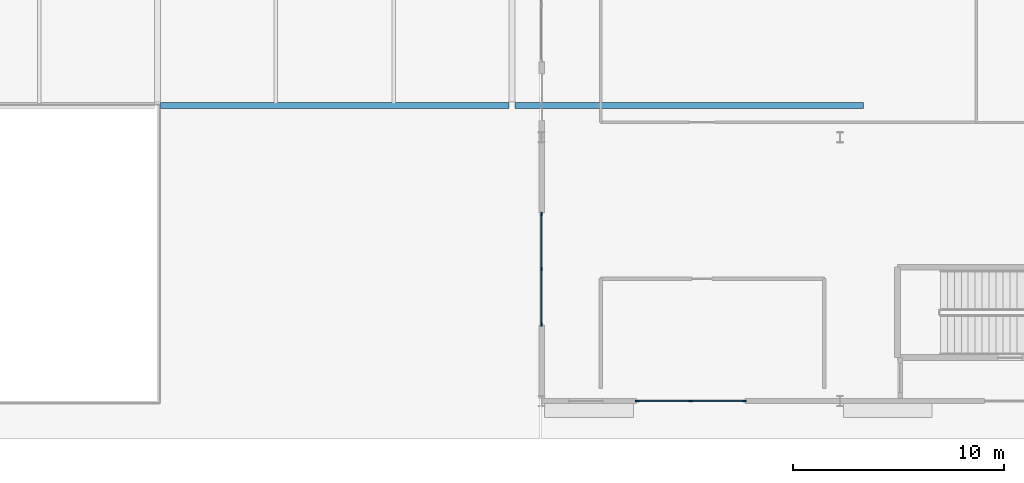
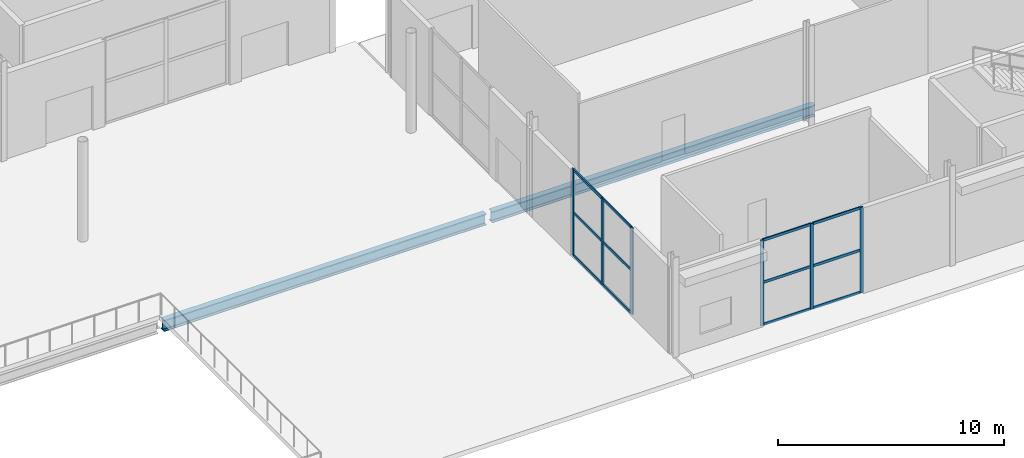
# One storey, part 39 of 87: 18 members, 2 beams, 2 elements without a shape of their own.
"""IFC4 building model written with IfcOpenShell, lengths in metres."""

from ifc_helpers import new_model, si_unit, direction, frame, origin, origin_2d, place, context, subcontext, project, spatial, rectangle, i_section, extrude, material, material_profile, profile_set, type_object, element, aggregate, save


model = new_model("IFC4")

# Units and contexts
model_context = context("Model", 3, precision=1e-05, world=origin(), true_north=direction((0.0, 1.0)))
body_context = subcontext(model_context, "Body", "Model", "MODEL_VIEW")
ifc_project = project(units=[si_unit("LENGTHUNIT", "METRE"), si_unit("AREAUNIT", "SQUARE_METRE"), si_unit("VOLUMEUNIT", "CUBIC_METRE"), si_unit("PLANEANGLEUNIT", "RADIAN"), si_unit("MASSUNIT", "GRAM", prefix="KILO")], contexts=[model_context])

# Site, building, storey
site_placement = place(None, origin())
site = spatial("IfcSite", under=ifc_project, at=site_placement, CompositionType="ELEMENT")
building_placement = place(site_placement, origin())
building = spatial("IfcBuilding", under=site, at=building_placement, Name="Kimbaza Rail Terminus", CompositionType="ELEMENT")
storey_placement = place(building_placement, origin())
storey = spatial("IfcBuildingStorey", under=building, at=storey_placement, Name="L00", CompositionType="ELEMENT", Elevation=0.0)

# Curtain wall, members
ifc_material_1 = material(Name="Anodised aluminium framing and solar low-E glazing", Category="aluminium")
curtain_wall_type = type_object("IfcCurtainWallType", Name="ARC-CW-PV1", PredefinedType="USERDEFINED", material=ifc_material_1)
curtain_wall_1_placement = place(storey_placement, origin())
curtain_wall_1 = element("IfcCurtainWall", 1, at=curtain_wall_1_placement, inside=storey, type_object=curtain_wall_type, Name="Pavilion S Curtain Wall L00.1", ObjectType="STICK CURTAIN WALL", PredefinedType="USERDEFINED")
ifc_material_2 = material(Name="Anodised architectural aluminium", Category="aluminium")
ifc_material_profile_1 = material_profile(ifc_material_2, rectangle(XDim=0.06494140625, YDim=0.175048828125, at=origin_2d()), Name="MULLION 65x175")
ifc_profile_set_1 = profile_set([ifc_material_profile_1], Name="Anodised architectural aluminium")
member_type_1 = type_object("IfcMemberType", Name="ARC-CWM-04", PredefinedType="MULLION", material=ifc_profile_set_1)
member_1_placement = place(storey_placement, frame((161.9326171875, 13.0, 0.0), z_axis=(0.0, 0.0, 1.0), x_axis=(0.0, 1.0, 0.0)))
member_1 = element("IfcMember", 2, at=member_1_placement, type_object=member_type_1, Name="CW-04 mullion 1", PredefinedType="MULLION", context=body_context, shape_type="SweptSolid", body=[
    extrude(rectangle(XDim=0.06494140625, YDim=0.175048828125, at=origin_2d()), origin(), (0.0, 0.0, 1.0), 4.625),
])
member_2_placement = place(storey_placement, frame((164.47509765625, 13.0, 0.0), z_axis=(0.0, 0.0, 1.0), x_axis=(0.0, 1.0, 0.0)))
member_2 = element("IfcMember", 3, at=member_2_placement, type_object=member_type_1, Name="CW-04 mullion 2", PredefinedType="MULLION", context=body_context, shape_type="SweptSolid", body=[
    extrude(rectangle(XDim=0.06494140625, YDim=0.175048828125, at=origin_2d()), origin(), (0.0, 0.0, 1.0), 4.625),
])
member_3_placement = place(storey_placement, frame((167.017578125, 13.0, 0.0), z_axis=(0.0, 0.0, 1.0), x_axis=(0.0, 1.0, 0.0)))
member_3 = element("IfcMember", 4, at=member_3_placement, type_object=member_type_1, Name="CW-04 mullion 3", PredefinedType="MULLION", context=body_context, shape_type="SweptSolid", body=[
    extrude(rectangle(XDim=0.06494140625, YDim=0.175048828125, at=origin_2d()), origin(), (0.0, 0.0, 1.0), 4.625),
])

curtain_wall_2_placement = place(storey_placement, origin())
curtain_wall_2 = element("IfcCurtainWall", 5, at=curtain_wall_2_placement, inside=storey, type_object=curtain_wall_type, Name="Pavilion W Curtain Wall L00.1", ObjectType="STICK CURTAIN WALL", PredefinedType="USERDEFINED")
member_4_placement = place(storey_placement, frame((157.39990234375, 16.632568359375, 0.0), z_axis=(0.0, 0.0, 1.0), x_axis=(-1.0, 0.0, 0.0)))
member_4 = element("IfcMember", 6, at=member_4_placement, type_object=member_type_1, Name="CW-04 mullion 1", PredefinedType="MULLION", context=body_context, shape_type="SweptSolid", body=[
    extrude(rectangle(XDim=0.06494140625, YDim=0.175048828125, at=origin_2d()), origin(), (0.0, 0.0, 1.0), 4.675048828125),
])
member_5_placement = place(storey_placement, frame((157.39990234375, 19.25, 0.0), z_axis=(0.0, 0.0, 1.0), x_axis=(-1.0, 0.0, 0.0)))
member_5 = element("IfcMember", 7, at=member_5_placement, type_object=member_type_1, Name="CW-04 mullion 2", PredefinedType="MULLION", context=body_context, shape_type="SweptSolid", body=[
    extrude(rectangle(XDim=0.06494140625, YDim=0.175048828125, at=origin_2d()), origin(), (0.0, 0.0, 1.0), 4.675048828125),
])
member_6_placement = place(storey_placement, frame((157.39990234375, 21.867431640625, 0.0), z_axis=(0.0, 0.0, 1.0), x_axis=(-1.0, 0.0, 0.0)))
member_6 = element("IfcMember", 8, at=member_6_placement, type_object=member_type_1, Name="CW-04 mullion 3", PredefinedType="MULLION", context=body_context, shape_type="SweptSolid", body=[
    extrude(rectangle(XDim=0.06494140625, YDim=0.175048828125, at=origin_2d()), origin(), (0.0, 0.0, 1.0), 4.675048828125),
])

# Member
ifc_material_3 = material(Name="Anodised architectural aluminium", Category="aluminium")
ifc_material_profile_2 = material_profile(ifc_material_3, rectangle(XDim=0.06494140625, YDim=0.139892578125, at=origin_2d()), Name="TRANSOM 65x140")
ifc_profile_set_2 = profile_set([ifc_material_profile_2], Name="Anodised architectural aluminium")
member_type_2 = type_object("IfcMemberType", Name="ARC-CWT-04", PredefinedType="USERDEFINED", material=ifc_profile_set_2)
member_7_placement = place(storey_placement, frame((161.965087890625, 13.0, 0.032470703125), z_axis=(1.0, 0.0, 0.0), x_axis=(0.0, 1.0, 0.0)))
member_7 = element("IfcMember", 9, at=member_7_placement, type_object=member_type_2, Name="CW-04 transom 1.1", ObjectType="TRANSOM", PredefinedType="USERDEFINED", context=body_context, shape_type="SweptSolid", body=[
    extrude(rectangle(XDim=0.06494140625, YDim=0.139892578125, at=origin_2d()), origin(), (0.0, 0.0, 1.0), 2.477294921875),
])

member_8_placement = place(storey_placement, frame((161.965087890625, 13.0, 2.3125), z_axis=(1.0, 0.0, 0.0), x_axis=(0.0, 1.0, 0.0)))
member_8 = element("IfcMember", 10, at=member_8_placement, type_object=member_type_2, Name="CW-04 transom 1.2", ObjectType="TRANSOM", PredefinedType="USERDEFINED", context=body_context, shape_type="SweptSolid", body=[
    extrude(rectangle(XDim=0.06494140625, YDim=0.139892578125, at=origin_2d()), origin(), (0.0, 0.0, 1.0), 2.477294921875),
])

member_9_placement = place(storey_placement, frame((161.965087890625, 13.0, 4.592529296875), z_axis=(1.0, 0.0, 0.0), x_axis=(0.0, 1.0, 0.0)))
member_9 = element("IfcMember", 11, at=member_9_placement, type_object=member_type_2, Name="CW-04 transom 1.3", ObjectType="TRANSOM", PredefinedType="USERDEFINED", context=body_context, shape_type="SweptSolid", body=[
    extrude(rectangle(XDim=0.06494140625, YDim=0.139892578125, at=origin_2d()), origin(), (0.0, 0.0, 1.0), 2.477294921875),
])

member_10_placement = place(storey_placement, frame((164.507568359375, 13.0, 0.032470703125), z_axis=(1.0, 0.0, 0.0), x_axis=(0.0, 1.0, 0.0)))
member_10 = element("IfcMember", 12, at=member_10_placement, type_object=member_type_2, Name="CW-04 transom 2.1", ObjectType="TRANSOM", PredefinedType="USERDEFINED", context=body_context, shape_type="SweptSolid", body=[
    extrude(rectangle(XDim=0.06494140625, YDim=0.139892578125, at=origin_2d()), origin(), (0.0, 0.0, 1.0), 2.4775390625),
])

member_11_placement = place(storey_placement, frame((164.507568359375, 13.0, 2.3125), z_axis=(1.0, 0.0, 0.0), x_axis=(0.0, 1.0, 0.0)))
member_11 = element("IfcMember", 13, at=member_11_placement, type_object=member_type_2, Name="CW-04 transom 2.2", ObjectType="TRANSOM", PredefinedType="USERDEFINED", context=body_context, shape_type="SweptSolid", body=[
    extrude(rectangle(XDim=0.06494140625, YDim=0.139892578125, at=origin_2d()), origin(), (0.0, 0.0, 1.0), 2.4775390625),
])

member_12_placement = place(storey_placement, frame((164.507568359375, 13.0, 4.592529296875), z_axis=(1.0, 0.0, 0.0), x_axis=(0.0, 1.0, 0.0)))
member_12 = element("IfcMember", 14, at=member_12_placement, type_object=member_type_2, Name="CW-04 transom 2.3", ObjectType="TRANSOM", PredefinedType="USERDEFINED", context=body_context, shape_type="SweptSolid", body=[
    extrude(rectangle(XDim=0.06494140625, YDim=0.139892578125, at=origin_2d()), origin(), (0.0, 0.0, 1.0), 2.4775390625),
])

aggregate(curtain_wall_1, [member_1, member_2, member_3, member_7, member_8, member_9, member_10, member_11, member_12])

member_13_placement = place(storey_placement, frame((157.39990234375, 16.6650390625, 0.032470703125), z_axis=(0.0, 1.0, 0.0), x_axis=(-1.0, 0.0, 0.0)))
member_13 = element("IfcMember", 15, at=member_13_placement, type_object=member_type_2, Name="CW-04 transom 1.1", ObjectType="TRANSOM", PredefinedType="USERDEFINED", context=body_context, shape_type="SweptSolid", body=[
    extrude(rectangle(XDim=0.06494140625, YDim=0.139892578125, at=origin_2d()), origin(), (0.0, 0.0, 1.0), 2.552490234375),
])

member_14_placement = place(storey_placement, frame((157.39990234375, 16.6650390625, 2.33740234375), z_axis=(0.0, 1.0, 0.0), x_axis=(-1.0, 0.0, 0.0)))
member_14 = element("IfcMember", 16, at=member_14_placement, type_object=member_type_2, Name="CW-04 transom 1.2", ObjectType="TRANSOM", PredefinedType="USERDEFINED", context=body_context, shape_type="SweptSolid", body=[
    extrude(rectangle(XDim=0.06494140625, YDim=0.139892578125, at=origin_2d()), origin(), (0.0, 0.0, 1.0), 2.552490234375),
])

member_15_placement = place(storey_placement, frame((157.39990234375, 16.6650390625, 4.642578125), z_axis=(0.0, 1.0, 0.0), x_axis=(-1.0, 0.0, 0.0)))
member_15 = element("IfcMember", 17, at=member_15_placement, type_object=member_type_2, Name="CW-04 transom 1.3", ObjectType="TRANSOM", PredefinedType="USERDEFINED", context=body_context, shape_type="SweptSolid", body=[
    extrude(rectangle(XDim=0.06494140625, YDim=0.139892578125, at=origin_2d()), origin(), (0.0, 0.0, 1.0), 2.552490234375),
])

member_16_placement = place(storey_placement, frame((157.39990234375, 19.282470703125, 0.032470703125), z_axis=(0.0, 1.0, 0.0), x_axis=(-1.0, 0.0, 0.0)))
member_16 = element("IfcMember", 18, at=member_16_placement, type_object=member_type_2, Name="CW-04 transom 2.1", ObjectType="TRANSOM", PredefinedType="USERDEFINED", context=body_context, shape_type="SweptSolid", body=[
    extrude(rectangle(XDim=0.06494140625, YDim=0.139892578125, at=origin_2d()), origin(), (0.0, 0.0, 1.0), 2.552490234375),
])

member_17_placement = place(storey_placement, frame((157.39990234375, 19.282470703125, 2.33740234375), z_axis=(0.0, 1.0, 0.0), x_axis=(-1.0, 0.0, 0.0)))
member_17 = element("IfcMember", 19, at=member_17_placement, type_object=member_type_2, Name="CW-04 transom 2.2", ObjectType="TRANSOM", PredefinedType="USERDEFINED", context=body_context, shape_type="SweptSolid", body=[
    extrude(rectangle(XDim=0.06494140625, YDim=0.139892578125, at=origin_2d()), origin(), (0.0, 0.0, 1.0), 2.552490234375),
])

member_18_placement = place(storey_placement, frame((157.39990234375, 19.282470703125, 4.642578125), z_axis=(0.0, 1.0, 0.0), x_axis=(-1.0, 0.0, 0.0)))
member_18 = element("IfcMember", 20, at=member_18_placement, type_object=member_type_2, Name="CW-04 transom 2.3", ObjectType="TRANSOM", PredefinedType="USERDEFINED", context=body_context, shape_type="SweptSolid", body=[
    extrude(rectangle(XDim=0.06494140625, YDim=0.139892578125, at=origin_2d()), origin(), (0.0, 0.0, 1.0), 2.552490234375),
])

aggregate(curtain_wall_2, [member_4, member_5, member_6, member_13, member_14, member_15, member_16, member_17, member_18])

# Beams
ifc_material_4 = material(Name="Steel S355", Category="steel")
ifc_material_profile_3 = material_profile(ifc_material_4, i_section(OverallWidth=0.300048828125, OverallDepth=0.60009765625, WebThickness=0.015380859375, FlangeThickness=0.030029296875, FilletRadius=0.027099609375, at=origin_2d()), Name="HEB 600")
ifc_profile_set_3 = profile_set([ifc_material_profile_3], Name="Steel S355")
beam_type = type_object("IfcBeamType", Name="STR-BM-HEB600", PredefinedType="BEAM", material=ifc_profile_set_3)
for number, where, z_axis, x_axis, name in (
    (21, (139.345947265625, 27.0, -0.550048828125), (1.0, 0.0, 0.0), (0.0, 1.0, 0.0), "Beam BM-V2X-L00-0-5"),
    (22, (156.14599609375, 27.0, -0.550048828125), (1.0, 0.0, 0.0), (0.0, 1.0, 0.0), "Beam BM-V2X-L00-0-6"),
):
    element("IfcBeam", number, at=place(storey_placement, frame(where, z_axis=z_axis, x_axis=x_axis)), inside=storey, type_object=beam_type, Name=name, PredefinedType="BEAM", context=body_context, shape_type="SweptSolid", body=[
        extrude(i_section(OverallWidth=0.300048828125, OverallDepth=0.60009765625, WebThickness=0.015380859375, FlangeThickness=0.030029296875, FilletRadius=0.027099609375, at=origin_2d()), origin(), (0.0, 0.0, 1.0), 16.508056640625),
    ])

save(model, "model.ifc")
